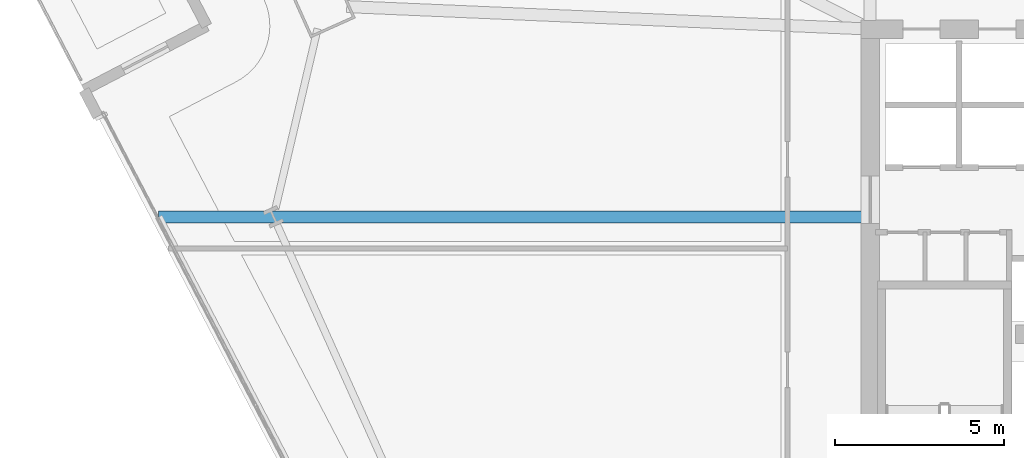
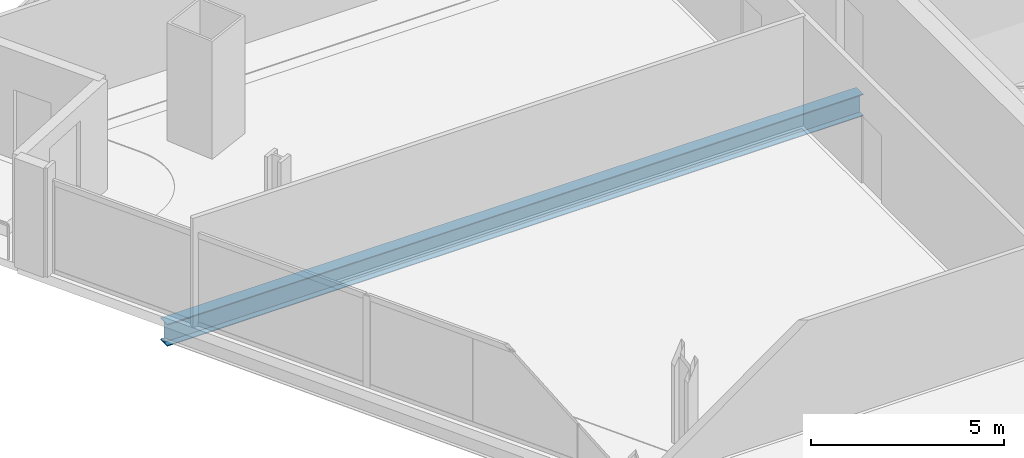
# One storey, part 14 of 33: 1 beam.
"""IFC4 building model written with IfcOpenShell, lengths in metres."""

from ifc_helpers import new_model, si_unit, direction, frame, origin, origin_2d, place, context, subcontext, project, spatial, i_section, extrude, material, material_profile, profile_set, type_object, element, save


model = new_model("IFC4")

# Units and contexts
model_context = context("Model", 3, precision=1e-05, world=origin(), true_north=direction((0.0, 1.0)))
body_context = subcontext(model_context, "Body", "Model", "MODEL_VIEW")
ifc_project = project(units=[si_unit("LENGTHUNIT", "METRE"), si_unit("AREAUNIT", "SQUARE_METRE"), si_unit("VOLUMEUNIT", "CUBIC_METRE"), si_unit("PLANEANGLEUNIT", "RADIAN"), si_unit("MASSUNIT", "GRAM", prefix="KILO")], contexts=[model_context])

# Site, building, storey
site_placement = place(None, origin())
site = spatial("IfcSite", under=ifc_project, at=site_placement, CompositionType="ELEMENT")
building_placement = place(site_placement, origin())
building = spatial("IfcBuilding", under=site, at=building_placement, Name="Haldenkirk Collegiate Tower", CompositionType="ELEMENT")
storey_placement = place(building_placement, frame((0.0, 0.0, 120.449951171875)))
storey = spatial("IfcBuildingStorey", under=building, at=storey_placement, Name="L29", CompositionType="ELEMENT", Elevation=120.449951171875)

# Beam
ifc_material = material(Name="Steel ASTM A992 Grade 50", Category="steel")
ifc_material_profile = material_profile(ifc_material, i_section(OverallWidth=0.35498046875, OverallDepth=0.696044921875, WebThickness=0.015380859375, FlangeThickness=0.02490234375, at=origin_2d()), Name="W27X146")
ifc_profile_set = profile_set([ifc_material_profile], Name="Steel ASTM A992 Grade 50")
beam_type = type_object("IfcBeamType", Name="BM-GIRDER-W27X146", PredefinedType="BEAM", material=ifc_profile_set)
beam_placement = place(storey_placement, frame((5.917724609375, 28.436767578125, -0.64794921875), z_axis=(1.0, 0.0, 0.0), x_axis=(0.0, 1.0, 0.0)))
element("IfcBeam", 1, at=beam_placement, inside=storey, type_object=beam_type, Name="L29 primary floor girder 14", PredefinedType="BEAM", context=body_context, shape_type="SweptSolid", body=[
    extrude(i_section(OverallWidth=0.35498046875, OverallDepth=0.696044921875, WebThickness=0.015380859375, FlangeThickness=0.02490234375, at=origin_2d()), origin(), (0.0, 0.0, 1.0), 20.827392578125),
])

save(model, "model.ifc")
